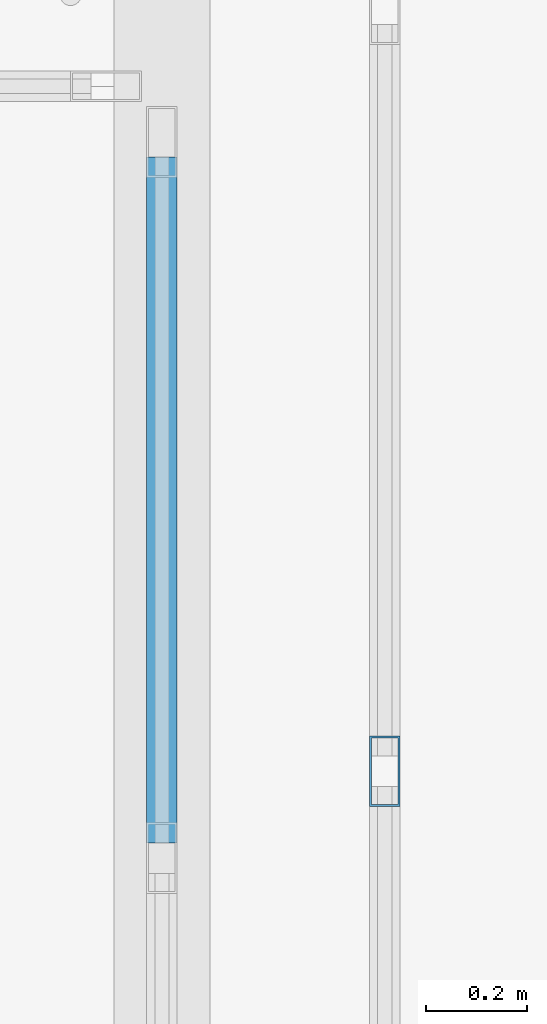
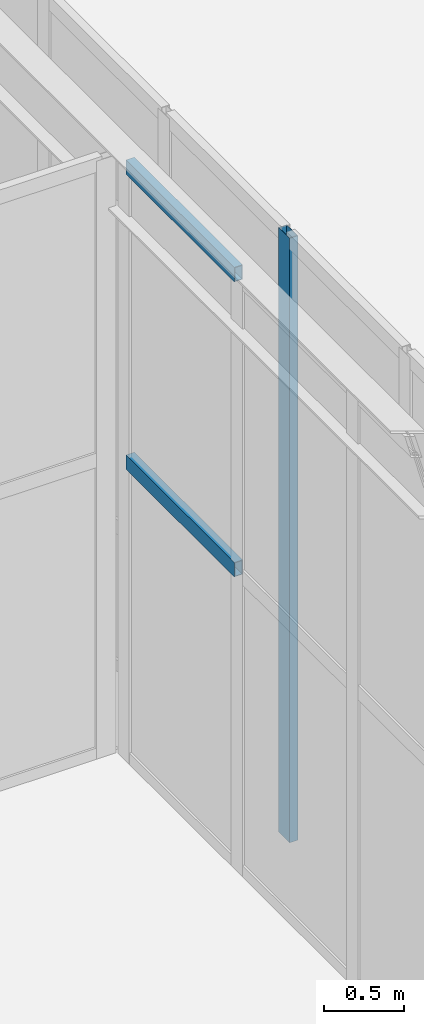
# One storey, part 65 of 158: 3 members, 2 elements without a shape of their own.
"""IFC4 building model written with IfcOpenShell, lengths in metres."""

from ifc_helpers import new_model, si_unit, direction, frame, origin, origin_2d, place, context, subcontext, project, spatial, hollow_rectangle, extrude, material, layer, layer_set, material_profile, profile_set, type_object, element, aggregate, save


model = new_model("IFC4")

# Units and contexts
model_context = context("Model", 3, precision=1e-05, world=origin(), true_north=direction((0.0, 1.0)))
body_context = subcontext(model_context, "Body", "Model", "MODEL_VIEW")
ifc_project = project(units=[si_unit("LENGTHUNIT", "METRE"), si_unit("AREAUNIT", "SQUARE_METRE"), si_unit("VOLUMEUNIT", "CUBIC_METRE"), si_unit("PLANEANGLEUNIT", "RADIAN"), si_unit("MASSUNIT", "GRAM", prefix="KILO")], contexts=[model_context])

# Site, building, storey
site_placement = place(None, origin())
site = spatial("IfcSite", under=ifc_project, at=site_placement, CompositionType="ELEMENT")
building_placement = place(site_placement, origin())
building = spatial("IfcBuilding", under=site, at=building_placement, Name="Trelvath General Hospital", CompositionType="ELEMENT")
storey_placement = place(building_placement, frame((0.0, 0.0, 8.10009765625)))
storey = spatial("IfcBuildingStorey", under=building, at=storey_placement, Name="L02", CompositionType="ELEMENT", Elevation=8.10009765625)

# Curtain wall, member
ifc_material_1 = material(Name="Anodised aluminium and low-E glass", Category="aluminium")
ifc_layer_1 = layer(ifc_material_1, 0.139892578125)
ifc_layer_set_1 = layer_set([ifc_layer_1], Name="Anodised aluminium and low-E glass")
curtain_wall_type_1 = type_object("IfcCurtainWallType", Name="CW Bridge 752 461", PredefinedType="USERDEFINED", material=ifc_layer_set_1)
curtain_wall_1_placement = place(storey_placement, origin())
curtain_wall_1 = element("IfcCurtainWall", 1, at=curtain_wall_1_placement, inside=storey, type_object=curtain_wall_type_1, Name="Glazed Bridge Curtain Wall BRG-N-C W L02", ObjectType="Unitised Glazed Curtain Wall", PredefinedType="USERDEFINED")
ifc_material_2 = material(Name="Anodised aluminium", Category="aluminium")
ifc_material_profile_1 = material_profile(ifc_material_2, hollow_rectangle(XDim=0.06005859375, YDim=0.139892578125, WallThickness=0.00390625, at=origin_2d()), Name="RHS60x140x4")
ifc_profile_set_1 = profile_set([ifc_material_profile_1], Name="Anodised aluminium")
member_type_1 = type_object("IfcMemberType", Name="CurtainMullion 60x140", PredefinedType="MULLION", material=ifc_profile_set_1)
member_1_placement = place(storey_placement, frame((76.0400390625, 79.048095703125, 0.0), z_axis=(0.0, 0.0, 1.0), x_axis=(-1.0, 0.0, 0.0)))
member_1 = element("IfcMember", 2, at=member_1_placement, type_object=member_type_1, Name="CW-222 mullion 3", PredefinedType="MULLION", context=body_context, shape_type="SweptSolid", body=[
    extrude(hollow_rectangle(XDim=0.06005859375, YDim=0.139892578125, WallThickness=0.00390625, at=origin_2d()), origin(), (0.0, 0.0, 1.0), 4.60986328125),
])
aggregate(curtain_wall_1, [member_1])

# Curtain wall, members
ifc_material_3 = material(Name="Anodised aluminium and low-E glass", Category="aluminium")
ifc_layer_2 = layer(ifc_material_3, 0.139892578125)
ifc_layer_set_2 = layer_set([ifc_layer_2], Name="Anodised aluminium and low-E glass")
curtain_wall_type_2 = type_object("IfcCurtainWallType", Name="CW CrystalCube 433 456 14", PredefinedType="USERDEFINED", material=ifc_layer_set_2)
curtain_wall_2_placement = place(storey_placement, origin())
curtain_wall_2 = element("IfcCurtainWall", 3, at=curtain_wall_2_placement, inside=storey, type_object=curtain_wall_type_2, Name="Crystal Cube Curtain Wall CUBE-W-T1 E7 L02", ObjectType="Unitised Glazed Curtain Wall", PredefinedType="USERDEFINED")
ifc_material_4 = material(Name="Anodised aluminium", Category="aluminium")
ifc_material_profile_2 = material_profile(ifc_material_4, hollow_rectangle(XDim=0.06005859375, YDim=0.110107421875, WallThickness=0.00390625, at=origin_2d()), Name="RHS60x110x4")
ifc_profile_set_2 = profile_set([ifc_material_profile_2], Name="Anodised aluminium")
member_type_2 = type_object("IfcMemberType", Name="CurtainTransom 60x110", PredefinedType="USERDEFINED", material=ifc_profile_set_2)
member_2_placement = place(storey_placement, frame((75.60009765625, 80.260009765625, 2.27978515625), z_axis=(0.0, -1.0, 0.0), x_axis=(1.0, 0.0, 0.0)))
member_2 = element("IfcMember", 4, at=member_2_placement, type_object=member_type_2, Name="CW-204 transom 1.2", ObjectType="TRANSOM", PredefinedType="USERDEFINED", context=body_context, shape_type="SweptSolid", body=[
    extrude(hollow_rectangle(XDim=0.06005859375, YDim=0.110107421875, WallThickness=0.00390625, at=origin_2d()), origin(), (0.0, 0.0, 1.0), 1.353271484375),
])
member_3_placement = place(storey_placement, frame((75.60009765625, 80.260009765625, 4.52978515625), z_axis=(0.0, -1.0, 0.0), x_axis=(1.0, 0.0, 0.0)))
member_3 = element("IfcMember", 5, at=member_3_placement, type_object=member_type_2, Name="CW-204 transom 1.3", ObjectType="TRANSOM", PredefinedType="USERDEFINED", context=body_context, shape_type="SweptSolid", body=[
    extrude(hollow_rectangle(XDim=0.06005859375, YDim=0.110107421875, WallThickness=0.00390625, at=origin_2d()), origin(), (0.0, 0.0, 1.0), 1.353271484375),
])
aggregate(curtain_wall_2, [member_2, member_3])

save(model, "model.ifc")
